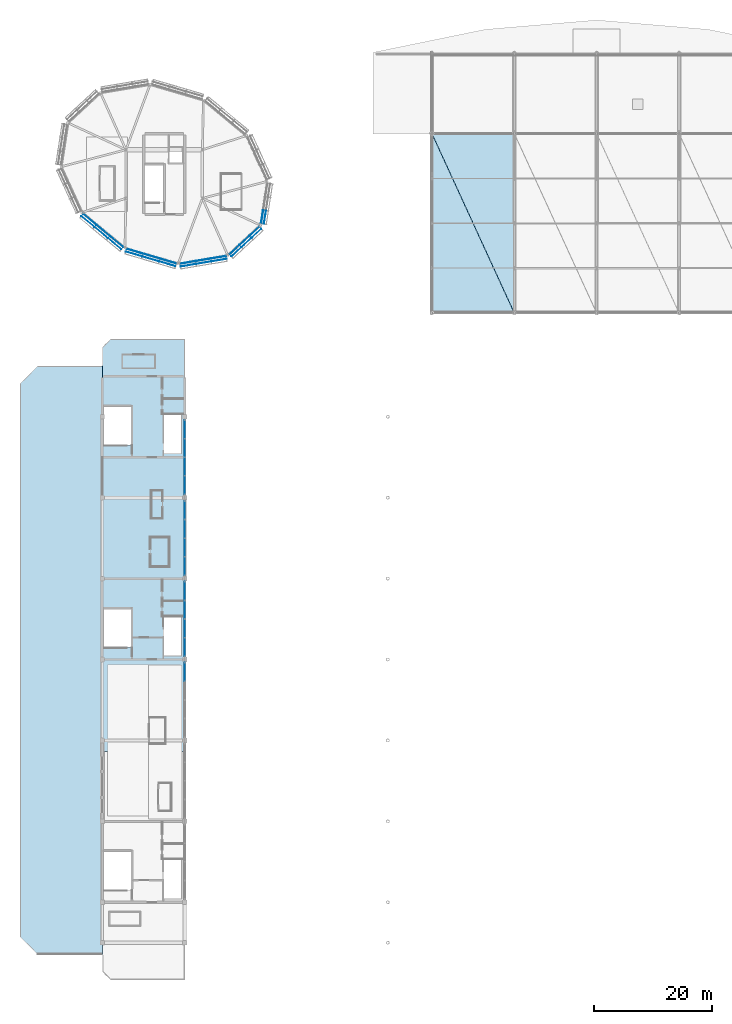
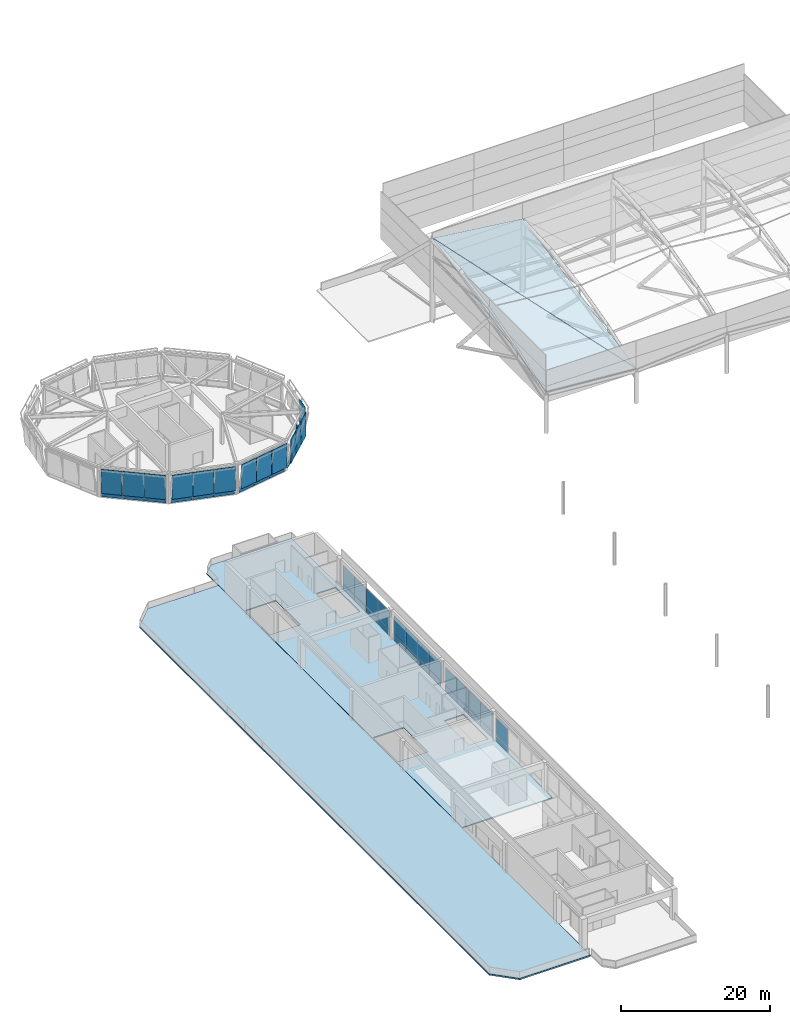
# One storey, part 67 of 113: 52 plates, 4 slabs, 9 elements without a shape of their own.
"""IFC4 building model written with IfcOpenShell, lengths in metres."""

from ifc_helpers import new_model, si_unit, direction, frame, origin, origin_2d, place, context, subcontext, project, spatial, polyline, rectangle, outline, extrude, material, layer, layer_set, type_object, element, aggregate, save


model = new_model("IFC4")

# Units and contexts
model_context = context("Model", 3, precision=1e-05, world=origin(), true_north=direction((0.0, 1.0)))
body_context = subcontext(model_context, "Body", "Model", "MODEL_VIEW")
ifc_project = project(units=[si_unit("LENGTHUNIT", "METRE"), si_unit("AREAUNIT", "SQUARE_METRE"), si_unit("VOLUMEUNIT", "CUBIC_METRE"), si_unit("PLANEANGLEUNIT", "RADIAN"), si_unit("MASSUNIT", "GRAM", prefix="KILO")], contexts=[model_context])

# Site, building, storey
site_placement = place(None, origin())
site = spatial("IfcSite", under=ifc_project, at=site_placement, CompositionType="ELEMENT")
building_placement = place(site_placement, origin())
building = spatial("IfcBuilding", under=site, at=building_placement, Name="Linyun Crest Stadium", CompositionType="ELEMENT")
storey_placement = place(building_placement, frame((0.0, 0.0, 26.39990234375)))
storey = spatial("IfcBuildingStorey", under=building, at=storey_placement, Name="L06", CompositionType="ELEMENT", Elevation=26.39990234375)

# Slab
ifc_material_1 = material(Name="Concrete C40", Category="concrete")
ifc_layer_1 = layer(ifc_material_1, 0.179931640625)
ifc_layer_set_1 = layer_set([ifc_layer_1], Name="Concrete C40")
slab_type_1 = type_object("IfcSlabType", Name="FS01", PredefinedType="FLOOR", material=ifc_layer_set_1)
slab_1_placement = place(storey_placement, frame((0.0, 0.0, -0.179931640625)))
element("IfcSlab", 1, at=slab_1_placement, inside=storey, type_object=slab_type_1, Name="Slab FS01 V1 L06 13", PredefinedType="FLOOR", context=body_context, shape_type="SweptSolid", body=[
    extrude(outline(polyline([(-84.0, -13.489990234375), (-70.0, -13.489990234375), (-70.0, 56.5849609375), (-82.60009765625, 56.5849609375), (-84.0, 55.18505859375), (-84.0, -13.489990234375)]), holes=[polyline([(-83.800048828125, 4.14501953125), (-83.800048828125, 10.72509765625), (-79.10009765625, 10.72509765625), (-79.10009765625, 4.14501953125), (-83.800048828125, 4.14501953125)]), polyline([(-73.60009765625, 2.77490234375), (-73.60009765625, 9.375), (-70.60009765625, 9.375), (-70.60009765625, 2.77490234375), (-73.60009765625, 2.77490234375)]), polyline([(-83.77490234375, 38.52001953125), (-83.77490234375, 45.10009765625), (-79.10009765625, 45.10009765625), (-79.10009765625, 38.52001953125), (-83.77490234375, 38.52001953125)]), polyline([(-73.60009765625, 37.14990234375), (-73.60009765625, 43.75), (-70.60009765625, 43.75), (-70.60009765625, 37.14990234375), (-73.60009765625, 37.14990234375)])]), origin(), (0.0, 0.0, 1.0), 0.179931640625),
])

# Curtain wall, plate
ifc_material_2 = material(Name="Verdigris steel and low-E curtain wall assembly", Category="steel")
curtain_wall_type_1 = type_object("IfcCurtainWallType", Name="MCW04", PredefinedType="NOTDEFINED", material=ifc_material_2)
curtain_wall_1_placement = place(storey_placement, origin())
curtain_wall_1 = element("IfcCurtainWall", 2, at=curtain_wall_1_placement, inside=storey, type_object=curtain_wall_type_1, Name="CWR-025", PredefinedType="NOTDEFINED")
ifc_material_3 = material(Name="Acoustic laminated low-E broadcast glass", Category="glass")
ifc_layer_2 = layer(ifc_material_3, 0.030029296875)
ifc_layer_set_2 = layer_set([ifc_layer_2], Name="Acoustic laminated low-E broadcast glass")
plate_type_1 = type_object("IfcPlateType", Name="GP02", PredefinedType="CURTAIN_PANEL", material=ifc_layer_set_2)
plate_1_placement = place(storey_placement, frame((-56.364990234375, 77.2880859375, 0.884521484375), z_axis=(0.0, 0.0, 1.0), x_axis=(0.152054385169, 0.988372128275, 0.0)))
plate_1 = element("IfcPlate", 3, at=plate_1_placement, type_object=plate_type_1, Name="CWR-025 panel 1.2", PredefinedType="CURTAIN_PANEL", context=body_context, shape_type="SweptSolid", body=[
    extrude(rectangle(XDim=2.256103515625, YDim=0.030029296875, at=origin_2d()), origin(), (0.0, 0.0, 1.0), 3.9912109375),
])

# Curtain wall, plates
curtain_wall_2_placement = place(storey_placement, origin())
curtain_wall_2 = element("IfcCurtainWall", 4, at=curtain_wall_2_placement, inside=storey, type_object=curtain_wall_type_1, Name="CWR-033", PredefinedType="NOTDEFINED")
plate_2_placement = place(storey_placement, frame((-86.447998046875, 76.528076171875, 0.884521484375), z_axis=(0.0, 0.0, 1.0), x_axis=(0.77024617165, -0.637746685651, 0.0)))
plate_2 = element("IfcPlate", 5, at=plate_2_placement, type_object=plate_type_1, Name="CWR-033 panel 1.2", PredefinedType="CURTAIN_PANEL", context=body_context, shape_type="SweptSolid", body=[
    extrude(rectangle(XDim=2.8984375, YDim=0.030029296875, at=origin_2d()), origin(), (0.0, 0.0, 1.0), 3.9912109375),
])
plate_3_placement = place(storey_placement, frame((-84.177001953125, 74.64697265625, 0.884521484375), z_axis=(0.0, 0.0, 1.0), x_axis=(0.77024617165, -0.637746685651, 0.0)))
plate_3 = element("IfcPlate", 6, at=plate_3_placement, type_object=plate_type_1, Name="CWR-033 panel 2.2", PredefinedType="CURTAIN_PANEL", context=body_context, shape_type="SweptSolid", body=[
    extrude(rectangle(XDim=2.8984375, YDim=0.030029296875, at=origin_2d()), origin(), (0.0, 0.0, 1.0), 3.9912109375),
])
plate_4_placement = place(storey_placement, frame((-81.906005859375, 72.76708984375, 0.884521484375), z_axis=(0.0, 0.0, 1.0), x_axis=(0.77024617165, -0.637746685651, 0.0)))
plate_4 = element("IfcPlate", 7, at=plate_4_placement, type_object=plate_type_1, Name="CWR-033 panel 3.2", PredefinedType="CURTAIN_PANEL", context=body_context, shape_type="SweptSolid", body=[
    extrude(rectangle(XDim=2.8984375, YDim=0.030029296875, at=origin_2d()), origin(), (0.0, 0.0, 1.0), 3.9912109375),
])

curtain_wall_3_placement = place(storey_placement, origin())
curtain_wall_3 = element("IfcCurtainWall", 8, at=curtain_wall_3_placement, inside=storey, type_object=curtain_wall_type_1, Name="CWR-034", PredefinedType="NOTDEFINED")
plate_5_placement = place(storey_placement, frame((-78.62890625, 71.02392578125, 0.884521484375), z_axis=(0.0, 0.0, 1.0), x_axis=(0.959437077917, -0.281922850294, 0.0)))
plate_5 = element("IfcPlate", 9, at=plate_5_placement, type_object=plate_type_1, Name="CWR-034 panel 1.2", PredefinedType="CURTAIN_PANEL", context=body_context, shape_type="SweptSolid", body=[
    extrude(rectangle(XDim=2.897705078125, YDim=0.030029296875, at=origin_2d()), origin(), (0.0, 0.0, 1.0), 3.9912109375),
])
plate_6_placement = place(storey_placement, frame((-75.801025390625, 70.193115234375, 0.884521484375), z_axis=(0.0, 0.0, 1.0), x_axis=(0.959437077917, -0.281922850294, 0.0)))
plate_6 = element("IfcPlate", 10, at=plate_6_placement, type_object=plate_type_1, Name="CWR-034 panel 2.2", PredefinedType="CURTAIN_PANEL", context=body_context, shape_type="SweptSolid", body=[
    extrude(rectangle(XDim=2.897705078125, YDim=0.030029296875, at=origin_2d()), origin(), (0.0, 0.0, 1.0), 3.9912109375),
])
plate_7_placement = place(storey_placement, frame((-72.972900390625, 69.362060546875, 0.884521484375), z_axis=(0.0, 0.0, 1.0), x_axis=(0.959437077917, -0.281922850294, 0.0)))
plate_7 = element("IfcPlate", 11, at=plate_7_placement, type_object=plate_type_1, Name="CWR-034 panel 3.2", PredefinedType="CURTAIN_PANEL", context=body_context, shape_type="SweptSolid", body=[
    extrude(rectangle(XDim=2.897705078125, YDim=0.030029296875, at=origin_2d()), origin(), (0.0, 0.0, 1.0), 3.9912109375),
])

curtain_wall_4_placement = place(storey_placement, origin())
curtain_wall_4 = element("IfcCurtainWall", 12, at=curtain_wall_4_placement, inside=storey, type_object=curtain_wall_type_1, Name="CWR-035", PredefinedType="NOTDEFINED")
plate_8_placement = place(storey_placement, frame((-69.408935546875, 69.114013671875, 0.884521484375), z_axis=(0.0, 0.0, 1.0), x_axis=(0.986282720763, 0.165064819767, 0.0)))
plate_8 = element("IfcPlate", 13, at=plate_8_placement, type_object=plate_type_1, Name="CWR-035 panel 1.2", PredefinedType="CURTAIN_PANEL", context=body_context, shape_type="SweptSolid", body=[
    extrude(rectangle(XDim=2.59521484375, YDim=0.030029296875, at=origin_2d()), origin(), (0.0, 0.0, 1.0), 3.9912109375),
])
plate_9_placement = place(storey_placement, frame((-66.800048828125, 69.551025390625, 0.884521484375), z_axis=(0.0, 0.0, 1.0), x_axis=(0.986282720763, 0.165064819767, 0.0)))
plate_9 = element("IfcPlate", 14, at=plate_9_placement, type_object=plate_type_1, Name="CWR-035 panel 2.2", PredefinedType="CURTAIN_PANEL", context=body_context, shape_type="SweptSolid", body=[
    extrude(rectangle(XDim=2.59521484375, YDim=0.030029296875, at=origin_2d()), origin(), (0.0, 0.0, 1.0), 3.9912109375),
])
plate_10_placement = place(storey_placement, frame((-64.19091796875, 69.988037109375, 0.884521484375), z_axis=(0.0, 0.0, 1.0), x_axis=(0.986282720763, 0.165064819767, 0.0)))
plate_10 = element("IfcPlate", 15, at=plate_10_placement, type_object=plate_type_1, Name="CWR-035 panel 3.2", PredefinedType="CURTAIN_PANEL", context=body_context, shape_type="SweptSolid", body=[
    extrude(rectangle(XDim=2.59521484375, YDim=0.030029296875, at=origin_2d()), origin(), (0.0, 0.0, 1.0), 3.9912109375),
])

curtain_wall_5_placement = place(storey_placement, origin())
curtain_wall_5 = element("IfcCurtainWall", 16, at=curtain_wall_5_placement, inside=storey, type_object=curtain_wall_type_1, Name="CWR-036", PredefinedType="NOTDEFINED")
plate_11_placement = place(storey_placement, frame((-61.221923828125, 71.39111328125, 0.884521484375), z_axis=(0.0, 0.0, 1.0), x_axis=(0.734298814372, 0.678826377811, 0.0)))
plate_11 = element("IfcPlate", 17, at=plate_11_placement, type_object=plate_type_1, Name="CWR-036 panel 1.2", PredefinedType="CURTAIN_PANEL", context=body_context, shape_type="SweptSolid", body=[
    extrude(rectangle(XDim=2.2568359375, YDim=0.030029296875, at=origin_2d()), origin(), (0.0, 0.0, 1.0), 3.9912109375),
])
plate_12_placement = place(storey_placement, frame((-59.528076171875, 72.95703125, 0.884521484375), z_axis=(0.0, 0.0, 1.0), x_axis=(0.734298814372, 0.678826377811, 0.0)))
plate_12 = element("IfcPlate", 18, at=plate_12_placement, type_object=plate_type_1, Name="CWR-036 panel 2.2", PredefinedType="CURTAIN_PANEL", context=body_context, shape_type="SweptSolid", body=[
    extrude(rectangle(XDim=2.2568359375, YDim=0.030029296875, at=origin_2d()), origin(), (0.0, 0.0, 1.0), 3.9912109375),
])
plate_13_placement = place(storey_placement, frame((-57.833984375, 74.52294921875, 0.884521484375), z_axis=(0.0, 0.0, 1.0), x_axis=(0.734298814372, 0.678826377811, 0.0)))
plate_13 = element("IfcPlate", 19, at=plate_13_placement, type_object=plate_type_1, Name="CWR-036 panel 3.2", PredefinedType="CURTAIN_PANEL", context=body_context, shape_type="SweptSolid", body=[
    extrude(rectangle(XDim=2.2568359375, YDim=0.030029296875, at=origin_2d()), origin(), (0.0, 0.0, 1.0), 3.9912109375),
])

# Curtain wall, plate
ifc_material_4 = material(Name="Verdigris steel and low-E curtain wall assembly", Category="steel")
curtain_wall_type_2 = type_object("IfcCurtainWallType", Name="MCW06", PredefinedType="NOTDEFINED", material=ifc_material_4)
curtain_wall_6_placement = place(storey_placement, origin())
curtain_wall_6 = element("IfcCurtainWall", 20, at=curtain_wall_6_placement, inside=storey, type_object=curtain_wall_type_2, Name="CWR-095", PredefinedType="NOTDEFINED")
plate_14_placement = place(storey_placement, frame((-70.0, -0.006103515625, 1.025146484375), z_axis=(0.0, 0.0, 1.0), x_axis=(0.0, 1.0, 0.0)))
plate_14 = element("IfcPlate", 21, at=plate_14_placement, type_object=plate_type_1, Name="CWR-095 panel 4.2", PredefinedType="CURTAIN_PANEL", context=body_context, shape_type="SweptSolid", body=[
    extrude(rectangle(XDim=3.112548828125, YDim=0.030029296875, at=origin_2d()), origin(), (0.0, 0.0, 1.0), 3.0),
])

# Curtain wall, plates
curtain_wall_7_placement = place(storey_placement, origin())
curtain_wall_7 = element("IfcCurtainWall", 22, at=curtain_wall_7_placement, inside=storey, type_object=curtain_wall_type_2, Name="CWR-104", PredefinedType="NOTDEFINED")
plate_15_placement = place(storey_placement, frame((-70.0, 4.256103515625, 1.025146484375), z_axis=(0.0, 0.0, 1.0), x_axis=(0.0, 1.0, 0.0)))
plate_15 = element("IfcPlate", 23, at=plate_15_placement, type_object=plate_type_1, Name="CWR-104 panel 1.2", PredefinedType="CURTAIN_PANEL", context=body_context, shape_type="SweptSolid", body=[
    extrude(rectangle(XDim=3.112548828125, YDim=0.030029296875, at=origin_2d()), origin(), (0.0, 0.0, 1.0), 3.0),
])
plate_16_placement = place(storey_placement, frame((-70.0, 7.4189453125, 1.025146484375), z_axis=(0.0, 0.0, 1.0), x_axis=(0.0, 1.0, 0.0)))
plate_16 = element("IfcPlate", 24, at=plate_16_placement, type_object=plate_type_1, Name="CWR-104 panel 2.2", PredefinedType="CURTAIN_PANEL", context=body_context, shape_type="SweptSolid", body=[
    extrude(rectangle(XDim=3.112548828125, YDim=0.030029296875, at=origin_2d()), origin(), (0.0, 0.0, 1.0), 3.0),
])
plate_17_placement = place(storey_placement, frame((-70.0, 10.5810546875, 1.025146484375), z_axis=(0.0, 0.0, 1.0), x_axis=(0.0, 1.0, 0.0)))
plate_17 = element("IfcPlate", 25, at=plate_17_placement, type_object=plate_type_1, Name="CWR-104 panel 3.2", PredefinedType="CURTAIN_PANEL", context=body_context, shape_type="SweptSolid", body=[
    extrude(rectangle(XDim=3.112548828125, YDim=0.030029296875, at=origin_2d()), origin(), (0.0, 0.0, 1.0), 3.0),
])
plate_18_placement = place(storey_placement, frame((-70.0, 13.743896484375, 1.025146484375), z_axis=(0.0, 0.0, 1.0), x_axis=(0.0, 1.0, 0.0)))
plate_18 = element("IfcPlate", 26, at=plate_18_placement, type_object=plate_type_1, Name="CWR-104 panel 4.2", PredefinedType="CURTAIN_PANEL", context=body_context, shape_type="SweptSolid", body=[
    extrude(rectangle(XDim=3.112548828125, YDim=0.030029296875, at=origin_2d()), origin(), (0.0, 0.0, 1.0), 3.0),
])

curtain_wall_8_placement = place(storey_placement, origin())
curtain_wall_8 = element("IfcCurtainWall", 27, at=curtain_wall_8_placement, inside=storey, type_object=curtain_wall_type_2, Name="CWR-113", PredefinedType="NOTDEFINED")
plate_19_placement = place(storey_placement, frame((-70.0, 18.006103515625, 1.025146484375), z_axis=(0.0, 0.0, 1.0), x_axis=(0.0, 1.0, 0.0)))
plate_19 = element("IfcPlate", 28, at=plate_19_placement, type_object=plate_type_1, Name="CWR-113 panel 1.2", PredefinedType="CURTAIN_PANEL", context=body_context, shape_type="SweptSolid", body=[
    extrude(rectangle(XDim=3.112548828125, YDim=0.030029296875, at=origin_2d()), origin(), (0.0, 0.0, 1.0), 3.0),
])
plate_20_placement = place(storey_placement, frame((-70.0, 21.1689453125, 1.025146484375), z_axis=(0.0, 0.0, 1.0), x_axis=(0.0, 1.0, 0.0)))
plate_20 = element("IfcPlate", 29, at=plate_20_placement, type_object=plate_type_1, Name="CWR-113 panel 2.2", PredefinedType="CURTAIN_PANEL", context=body_context, shape_type="SweptSolid", body=[
    extrude(rectangle(XDim=3.112548828125, YDim=0.030029296875, at=origin_2d()), origin(), (0.0, 0.0, 1.0), 3.0),
])
plate_21_placement = place(storey_placement, frame((-70.0, 24.3310546875, 1.025146484375), z_axis=(0.0, 0.0, 1.0), x_axis=(0.0, 1.0, 0.0)))
plate_21 = element("IfcPlate", 30, at=plate_21_placement, type_object=plate_type_1, Name="CWR-113 panel 3.2", PredefinedType="CURTAIN_PANEL", context=body_context, shape_type="SweptSolid", body=[
    extrude(rectangle(XDim=3.112548828125, YDim=0.030029296875, at=origin_2d()), origin(), (0.0, 0.0, 1.0), 3.0),
])
plate_22_placement = place(storey_placement, frame((-70.0, 27.493896484375, 1.025146484375), z_axis=(0.0, 0.0, 1.0), x_axis=(0.0, 1.0, 0.0)))
plate_22 = element("IfcPlate", 31, at=plate_22_placement, type_object=plate_type_1, Name="CWR-113 panel 4.2", PredefinedType="CURTAIN_PANEL", context=body_context, shape_type="SweptSolid", body=[
    extrude(rectangle(XDim=3.112548828125, YDim=0.030029296875, at=origin_2d()), origin(), (0.0, 0.0, 1.0), 3.0),
])

curtain_wall_9_placement = place(storey_placement, origin())
curtain_wall_9 = element("IfcCurtainWall", 32, at=curtain_wall_9_placement, inside=storey, type_object=curtain_wall_type_2, Name="CWR-122", PredefinedType="NOTDEFINED")
plate_23_placement = place(storey_placement, frame((-70.0, 31.756103515625, 1.025146484375), z_axis=(0.0, 0.0, 1.0), x_axis=(0.0, 1.0, 0.0)))
plate_23 = element("IfcPlate", 33, at=plate_23_placement, type_object=plate_type_1, Name="CWR-122 panel 1.2", PredefinedType="CURTAIN_PANEL", context=body_context, shape_type="SweptSolid", body=[
    extrude(rectangle(XDim=3.112548828125, YDim=0.030029296875, at=origin_2d()), origin(), (0.0, 0.0, 1.0), 3.0),
])
plate_24_placement = place(storey_placement, frame((-70.0, 34.9189453125, 1.025146484375), z_axis=(0.0, 0.0, 1.0), x_axis=(0.0, 1.0, 0.0)))
plate_24 = element("IfcPlate", 34, at=plate_24_placement, type_object=plate_type_1, Name="CWR-122 panel 2.2", PredefinedType="CURTAIN_PANEL", context=body_context, shape_type="SweptSolid", body=[
    extrude(rectangle(XDim=3.112548828125, YDim=0.030029296875, at=origin_2d()), origin(), (0.0, 0.0, 1.0), 3.0),
])
plate_25_placement = place(storey_placement, frame((-70.0, 38.0810546875, 1.025146484375), z_axis=(0.0, 0.0, 1.0), x_axis=(0.0, 1.0, 0.0)))
plate_25 = element("IfcPlate", 35, at=plate_25_placement, type_object=plate_type_1, Name="CWR-122 panel 3.2", PredefinedType="CURTAIN_PANEL", context=body_context, shape_type="SweptSolid", body=[
    extrude(rectangle(XDim=3.112548828125, YDim=0.030029296875, at=origin_2d()), origin(), (0.0, 0.0, 1.0), 3.0),
])
plate_26_placement = place(storey_placement, frame((-70.0, 41.243896484375, 1.025146484375), z_axis=(0.0, 0.0, 1.0), x_axis=(0.0, 1.0, 0.0)))
plate_26 = element("IfcPlate", 36, at=plate_26_placement, type_object=plate_type_1, Name="CWR-122 panel 4.2", PredefinedType="CURTAIN_PANEL", context=body_context, shape_type="SweptSolid", body=[
    extrude(rectangle(XDim=3.112548828125, YDim=0.030029296875, at=origin_2d()), origin(), (0.0, 0.0, 1.0), 3.0),
])

# Slabs
ifc_material_5 = material(Name="Concrete C40", Category="concrete")
ifc_layer_3 = layer(ifc_material_5, 0.205078125)
ifc_layer_set_3 = layer_set([ifc_layer_3], Name="Concrete C40")
slab_type_2 = type_object("IfcSlabType", Name="RS01", PredefinedType="ROOF", material=ifc_layer_set_3)
slab_2_placement = place(storey_placement, frame((-27.966064453125, 91.462890625, 13.398681640625), z_axis=(0.118245876644, -0.194803555234, 0.973688598847), x_axis=(0.992693120126, -0.000556140336, -0.120665073496)))
element("IfcSlab", 37, at=slab_2_placement, inside=storey, type_object=slab_type_2, Name="Wave canopy roof deck RS01 V3 29", PredefinedType="ROOF", context=body_context, shape_type="SweptSolid", body=[
    extrude(outline(polyline([(0.0, 0.0), (14.047713313053919, -5.551115123125783e-17), (14.80874328508756, -30.999466663187533), (0.0, 0.0)])), origin(), (0.0, 0.0, -1.0), 0.205078125),
])
ifc_material_6 = material(Name="Concrete C40", Category="concrete")
ifc_layer_4 = layer(ifc_material_6, 0.215087890625)
ifc_layer_set_4 = layer_set([ifc_layer_4], Name="Concrete C40")
slab_type_3 = type_object("IfcSlabType", Name="RS02", PredefinedType="ROOF", material=ifc_layer_set_4)
slab_3_placement = place(storey_placement, frame((-27.989013671875, 91.450927734375, 13.3984375), z_axis=(0.076875112983, -0.21382544332, 0.973842336722), x_axis=(0.406202281753, -0.885280777631, -0.226445691184)))
element("IfcSlab", 38, at=slab_3_placement, inside=storey, type_object=slab_type_3, Name="Wave canopy roof deck RS02 V3 30", PredefinedType="ROOF", context=body_context, shape_type="SweptSolid", body=[
    extrude(outline(polyline([(0.0, 0.0), (34.35499688670778, -4.996003610813204e-16), (28.43389682378714, -12.673640322023411), (0.0, 0.0)])), origin(), (0.0, 0.0, -1.0), 0.215087890625),
])

# Plate
ifc_material_7 = material(Name="Warm ochre glazed ceramic faience spandrel")
ifc_layer_5 = layer(ifc_material_7, 0.048095703125)
ifc_layer_set_5 = layer_set([ifc_layer_5], Name="Warm ochre glazed ceramic faience spandrel")
plate_type_2 = type_object("IfcPlateType", Name="SP02", PredefinedType="SHEET", material=ifc_layer_set_5)
plate_27_placement = place(storey_placement, frame((-70.0, -0.006103515625, 0.02490234375), z_axis=(0.0, 0.0, 1.0), x_axis=(0.0, 1.0, 0.0)))
plate_27 = element("IfcPlate", 39, at=plate_27_placement, type_object=plate_type_2, Name="CWR-095 panel 4.1", PredefinedType="SHEET", context=body_context, shape_type="SweptSolid", body=[
    extrude(rectangle(XDim=3.112548828125, YDim=0.048095703125, at=origin_2d()), origin(), (0.0, 0.0, 1.0), 0.949951171875),
])

aggregate(curtain_wall_6, [plate_27, plate_14])

plate_28_placement = place(storey_placement, frame((-70.0, 4.256103515625, 0.02490234375), z_axis=(0.0, 0.0, 1.0), x_axis=(0.0, 1.0, 0.0)))
plate_28 = element("IfcPlate", 40, at=plate_28_placement, type_object=plate_type_2, Name="CWR-104 panel 1.1", PredefinedType="SHEET", context=body_context, shape_type="SweptSolid", body=[
    extrude(rectangle(XDim=3.112548828125, YDim=0.048095703125, at=origin_2d()), origin(), (0.0, 0.0, 1.0), 0.949951171875),
])

plate_29_placement = place(storey_placement, frame((-70.0, 7.4189453125, 0.02490234375), z_axis=(0.0, 0.0, 1.0), x_axis=(0.0, 1.0, 0.0)))
plate_29 = element("IfcPlate", 41, at=plate_29_placement, type_object=plate_type_2, Name="CWR-104 panel 2.1", PredefinedType="SHEET", context=body_context, shape_type="SweptSolid", body=[
    extrude(rectangle(XDim=3.112548828125, YDim=0.048095703125, at=origin_2d()), origin(), (0.0, 0.0, 1.0), 0.949951171875),
])

plate_30_placement = place(storey_placement, frame((-70.0, 10.5810546875, 0.02490234375), z_axis=(0.0, 0.0, 1.0), x_axis=(0.0, 1.0, 0.0)))
plate_30 = element("IfcPlate", 42, at=plate_30_placement, type_object=plate_type_2, Name="CWR-104 panel 3.1", PredefinedType="SHEET", context=body_context, shape_type="SweptSolid", body=[
    extrude(rectangle(XDim=3.112548828125, YDim=0.048095703125, at=origin_2d()), origin(), (0.0, 0.0, 1.0), 0.949951171875),
])

plate_31_placement = place(storey_placement, frame((-70.0, 13.743896484375, 0.02490234375), z_axis=(0.0, 0.0, 1.0), x_axis=(0.0, 1.0, 0.0)))
plate_31 = element("IfcPlate", 43, at=plate_31_placement, type_object=plate_type_2, Name="CWR-104 panel 4.1", PredefinedType="SHEET", context=body_context, shape_type="SweptSolid", body=[
    extrude(rectangle(XDim=3.112548828125, YDim=0.048095703125, at=origin_2d()), origin(), (0.0, 0.0, 1.0), 0.949951171875),
])

aggregate(curtain_wall_7, [plate_28, plate_15, plate_29, plate_16, plate_30, plate_17, plate_31, plate_18])

plate_32_placement = place(storey_placement, frame((-70.0, 18.006103515625, 0.02490234375), z_axis=(0.0, 0.0, 1.0), x_axis=(0.0, 1.0, 0.0)))
plate_32 = element("IfcPlate", 44, at=plate_32_placement, type_object=plate_type_2, Name="CWR-113 panel 1.1", PredefinedType="SHEET", context=body_context, shape_type="SweptSolid", body=[
    extrude(rectangle(XDim=3.112548828125, YDim=0.048095703125, at=origin_2d()), origin(), (0.0, 0.0, 1.0), 0.949951171875),
])

plate_33_placement = place(storey_placement, frame((-70.0, 21.1689453125, 0.02490234375), z_axis=(0.0, 0.0, 1.0), x_axis=(0.0, 1.0, 0.0)))
plate_33 = element("IfcPlate", 45, at=plate_33_placement, type_object=plate_type_2, Name="CWR-113 panel 2.1", PredefinedType="SHEET", context=body_context, shape_type="SweptSolid", body=[
    extrude(rectangle(XDim=3.112548828125, YDim=0.048095703125, at=origin_2d()), origin(), (0.0, 0.0, 1.0), 0.949951171875),
])

plate_34_placement = place(storey_placement, frame((-70.0, 24.3310546875, 0.02490234375), z_axis=(0.0, 0.0, 1.0), x_axis=(0.0, 1.0, 0.0)))
plate_34 = element("IfcPlate", 46, at=plate_34_placement, type_object=plate_type_2, Name="CWR-113 panel 3.1", PredefinedType="SHEET", context=body_context, shape_type="SweptSolid", body=[
    extrude(rectangle(XDim=3.112548828125, YDim=0.048095703125, at=origin_2d()), origin(), (0.0, 0.0, 1.0), 0.949951171875),
])

plate_35_placement = place(storey_placement, frame((-70.0, 27.493896484375, 0.02490234375), z_axis=(0.0, 0.0, 1.0), x_axis=(0.0, 1.0, 0.0)))
plate_35 = element("IfcPlate", 47, at=plate_35_placement, type_object=plate_type_2, Name="CWR-113 panel 4.1", PredefinedType="SHEET", context=body_context, shape_type="SweptSolid", body=[
    extrude(rectangle(XDim=3.112548828125, YDim=0.048095703125, at=origin_2d()), origin(), (0.0, 0.0, 1.0), 0.949951171875),
])

aggregate(curtain_wall_8, [plate_32, plate_19, plate_33, plate_20, plate_34, plate_21, plate_35, plate_22])

plate_36_placement = place(storey_placement, frame((-70.0, 31.756103515625, 0.02490234375), z_axis=(0.0, 0.0, 1.0), x_axis=(0.0, 1.0, 0.0)))
plate_36 = element("IfcPlate", 48, at=plate_36_placement, type_object=plate_type_2, Name="CWR-122 panel 1.1", PredefinedType="SHEET", context=body_context, shape_type="SweptSolid", body=[
    extrude(rectangle(XDim=3.112548828125, YDim=0.048095703125, at=origin_2d()), origin(), (0.0, 0.0, 1.0), 0.949951171875),
])

plate_37_placement = place(storey_placement, frame((-70.0, 34.9189453125, 0.02490234375), z_axis=(0.0, 0.0, 1.0), x_axis=(0.0, 1.0, 0.0)))
plate_37 = element("IfcPlate", 49, at=plate_37_placement, type_object=plate_type_2, Name="CWR-122 panel 2.1", PredefinedType="SHEET", context=body_context, shape_type="SweptSolid", body=[
    extrude(rectangle(XDim=3.112548828125, YDim=0.048095703125, at=origin_2d()), origin(), (0.0, 0.0, 1.0), 0.949951171875),
])

plate_38_placement = place(storey_placement, frame((-70.0, 38.0810546875, 0.02490234375), z_axis=(0.0, 0.0, 1.0), x_axis=(0.0, 1.0, 0.0)))
plate_38 = element("IfcPlate", 50, at=plate_38_placement, type_object=plate_type_2, Name="CWR-122 panel 3.1", PredefinedType="SHEET", context=body_context, shape_type="SweptSolid", body=[
    extrude(rectangle(XDim=3.112548828125, YDim=0.048095703125, at=origin_2d()), origin(), (0.0, 0.0, 1.0), 0.949951171875),
])

plate_39_placement = place(storey_placement, frame((-70.0, 41.243896484375, 0.02490234375), z_axis=(0.0, 0.0, 1.0), x_axis=(0.0, 1.0, 0.0)))
plate_39 = element("IfcPlate", 51, at=plate_39_placement, type_object=plate_type_2, Name="CWR-122 panel 4.1", PredefinedType="SHEET", context=body_context, shape_type="SweptSolid", body=[
    extrude(rectangle(XDim=3.112548828125, YDim=0.048095703125, at=origin_2d()), origin(), (0.0, 0.0, 1.0), 0.949951171875),
])

aggregate(curtain_wall_9, [plate_36, plate_23, plate_37, plate_24, plate_38, plate_25, plate_39, plate_26])

ifc_material_8 = material(Name="Verdigris enamelled metal insulated spandrel")
ifc_layer_6 = layer(ifc_material_8, 0.053955078125)
ifc_layer_set_6 = layer_set([ifc_layer_6], Name="Verdigris enamelled metal insulated spandrel")
plate_type_3 = type_object("IfcPlateType", Name="SP03", PredefinedType="SHEET", material=ifc_layer_set_6)
plate_40_placement = place(storey_placement, frame((-56.85302734375, 77.363037109375, 0.01611328125), z_axis=(0.0, 0.0, 1.0), x_axis=(0.152054385169, 0.988372128275, 0.0)))
plate_40 = element("IfcPlate", 52, at=plate_40_placement, type_object=plate_type_3, Name="CWR-025 panel 1.1", PredefinedType="SHEET", context=body_context, shape_type="SweptSolid", body=[
    extrude(rectangle(XDim=2.256103515625, YDim=0.053955078125, at=origin_2d()), origin(), (0.0, 0.0, 1.0), 0.868408203125),
])

aggregate(curtain_wall_1, [plate_40, plate_1])

plate_41_placement = place(storey_placement, frame((-86.133056640625, 76.907958984375, 0.01611328125), z_axis=(0.0, 0.0, 1.0), x_axis=(0.77024617165, -0.637746685651, 0.0)))
plate_41 = element("IfcPlate", 53, at=plate_41_placement, type_object=plate_type_3, Name="CWR-033 panel 1.1", PredefinedType="SHEET", context=body_context, shape_type="SweptSolid", body=[
    extrude(rectangle(XDim=2.8984375, YDim=0.053955078125, at=origin_2d()), origin(), (0.0, 0.0, 1.0), 0.868408203125),
])

plate_42_placement = place(storey_placement, frame((-83.862060546875, 75.028076171875, 0.01611328125), z_axis=(0.0, 0.0, 1.0), x_axis=(0.77024617165, -0.637746685651, 0.0)))
plate_42 = element("IfcPlate", 54, at=plate_42_placement, type_object=plate_type_3, Name="CWR-033 panel 2.1", PredefinedType="SHEET", context=body_context, shape_type="SweptSolid", body=[
    extrude(rectangle(XDim=2.8984375, YDim=0.053955078125, at=origin_2d()), origin(), (0.0, 0.0, 1.0), 0.868408203125),
])

plate_43_placement = place(storey_placement, frame((-81.591064453125, 73.14794921875, 0.01611328125), z_axis=(0.0, 0.0, 1.0), x_axis=(0.77024617165, -0.637746685651, 0.0)))
plate_43 = element("IfcPlate", 55, at=plate_43_placement, type_object=plate_type_3, Name="CWR-033 panel 3.1", PredefinedType="SHEET", context=body_context, shape_type="SweptSolid", body=[
    extrude(rectangle(XDim=2.8984375, YDim=0.053955078125, at=origin_2d()), origin(), (0.0, 0.0, 1.0), 0.868408203125),
])

aggregate(curtain_wall_2, [plate_41, plate_2, plate_42, plate_3, plate_43, plate_4])

plate_44_placement = place(storey_placement, frame((-78.489990234375, 71.4990234375, 0.01611328125), z_axis=(0.0, 0.0, 1.0), x_axis=(0.959437077917, -0.281922850294, 0.0)))
plate_44 = element("IfcPlate", 56, at=plate_44_placement, type_object=plate_type_3, Name="CWR-034 panel 1.1", PredefinedType="SHEET", context=body_context, shape_type="SweptSolid", body=[
    extrude(rectangle(XDim=2.897705078125, YDim=0.053955078125, at=origin_2d()), origin(), (0.0, 0.0, 1.0), 0.868408203125),
])

plate_45_placement = place(storey_placement, frame((-75.662109375, 70.66796875, 0.01611328125), z_axis=(0.0, 0.0, 1.0), x_axis=(0.959437077917, -0.281922850294, 0.0)))
plate_45 = element("IfcPlate", 57, at=plate_45_placement, type_object=plate_type_3, Name="CWR-034 panel 2.1", PredefinedType="SHEET", context=body_context, shape_type="SweptSolid", body=[
    extrude(rectangle(XDim=2.897705078125, YDim=0.053955078125, at=origin_2d()), origin(), (0.0, 0.0, 1.0), 0.868408203125),
])

plate_46_placement = place(storey_placement, frame((-72.833984375, 69.8369140625, 0.01611328125), z_axis=(0.0, 0.0, 1.0), x_axis=(0.959437077917, -0.281922850294, 0.0)))
plate_46 = element("IfcPlate", 58, at=plate_46_placement, type_object=plate_type_3, Name="CWR-034 panel 3.1", PredefinedType="SHEET", context=body_context, shape_type="SweptSolid", body=[
    extrude(rectangle(XDim=2.897705078125, YDim=0.053955078125, at=origin_2d()), origin(), (0.0, 0.0, 1.0), 0.868408203125),
])

aggregate(curtain_wall_3, [plate_44, plate_5, plate_45, plate_6, plate_46, plate_7])

plate_47_placement = place(storey_placement, frame((-69.489990234375, 69.60205078125, 0.01611328125), z_axis=(0.0, 0.0, 1.0), x_axis=(0.986282720763, 0.165064819767, 0.0)))
plate_47 = element("IfcPlate", 59, at=plate_47_placement, type_object=plate_type_3, Name="CWR-035 panel 1.1", PredefinedType="SHEET", context=body_context, shape_type="SweptSolid", body=[
    extrude(rectangle(XDim=2.59521484375, YDim=0.053955078125, at=origin_2d()), origin(), (0.0, 0.0, 1.0), 0.868408203125),
])

plate_48_placement = place(storey_placement, frame((-66.881103515625, 70.0390625, 0.01611328125), z_axis=(0.0, 0.0, 1.0), x_axis=(0.986282720763, 0.165064819767, 0.0)))
plate_48 = element("IfcPlate", 60, at=plate_48_placement, type_object=plate_type_3, Name="CWR-035 panel 2.1", PredefinedType="SHEET", context=body_context, shape_type="SweptSolid", body=[
    extrude(rectangle(XDim=2.59521484375, YDim=0.053955078125, at=origin_2d()), origin(), (0.0, 0.0, 1.0), 0.868408203125),
])

plate_49_placement = place(storey_placement, frame((-64.27197265625, 70.47509765625, 0.01611328125), z_axis=(0.0, 0.0, 1.0), x_axis=(0.986282720763, 0.165064819767, 0.0)))
plate_49 = element("IfcPlate", 61, at=plate_49_placement, type_object=plate_type_3, Name="CWR-035 panel 3.1", PredefinedType="SHEET", context=body_context, shape_type="SweptSolid", body=[
    extrude(rectangle(XDim=2.59521484375, YDim=0.053955078125, at=origin_2d()), origin(), (0.0, 0.0, 1.0), 0.868408203125),
])

aggregate(curtain_wall_4, [plate_47, plate_8, plate_48, plate_9, plate_49, plate_10])

plate_50_placement = place(storey_placement, frame((-61.55810546875, 71.75390625, 0.01611328125), z_axis=(0.0, 0.0, 1.0), x_axis=(0.734298814372, 0.678826377811, 0.0)))
plate_50 = element("IfcPlate", 62, at=plate_50_placement, type_object=plate_type_3, Name="CWR-036 panel 1.1", PredefinedType="SHEET", context=body_context, shape_type="SweptSolid", body=[
    extrude(rectangle(XDim=2.2568359375, YDim=0.053955078125, at=origin_2d()), origin(), (0.0, 0.0, 1.0), 0.868408203125),
])

plate_51_placement = place(storey_placement, frame((-59.864013671875, 73.320068359375, 0.01611328125), z_axis=(0.0, 0.0, 1.0), x_axis=(0.734298814372, 0.678826377811, 0.0)))
plate_51 = element("IfcPlate", 63, at=plate_51_placement, type_object=plate_type_3, Name="CWR-036 panel 2.1", PredefinedType="SHEET", context=body_context, shape_type="SweptSolid", body=[
    extrude(rectangle(XDim=2.2568359375, YDim=0.053955078125, at=origin_2d()), origin(), (0.0, 0.0, 1.0), 0.868408203125),
])

plate_52_placement = place(storey_placement, frame((-58.169921875, 74.885986328125, 0.01611328125), z_axis=(0.0, 0.0, 1.0), x_axis=(0.734298814372, 0.678826377811, 0.0)))
plate_52 = element("IfcPlate", 64, at=plate_52_placement, type_object=plate_type_3, Name="CWR-036 panel 3.1", PredefinedType="SHEET", context=body_context, shape_type="SweptSolid", body=[
    extrude(rectangle(XDim=2.2568359375, YDim=0.053955078125, at=origin_2d()), origin(), (0.0, 0.0, 1.0), 0.868408203125),
])

aggregate(curtain_wall_5, [plate_50, plate_11, plate_51, plate_12, plate_52, plate_13])

# Slab
ifc_material_9 = material(Name="Concrete C40", Category="concrete")
ifc_layer_7 = layer(ifc_material_9, 0.239990234375)
ifc_layer_set_7 = layer_set([ifc_layer_7], Name="Concrete C40")
slab_type_4 = type_object("IfcSlabType", Name="TS01", PredefinedType="FLOOR", material=ifc_layer_set_7)
slab_4_placement = place(storey_placement, frame((0.0, 0.0, -0.239990234375)))
element("IfcSlab", 65, at=slab_4_placement, inside=storey, type_object=slab_type_4, Name="Slab TS01 V1 L06 15", PredefinedType="FLOOR", context=body_context, shape_type="SweptSolid", body=[
    extrude(outline(polyline([(-95.0, -48.0), (-84.02001953125, -48.0), (-84.02001953125, 52.0), (-95.0, 52.0), (-98.0, 49.0), (-98.0, -45.0), (-95.0, -48.0)])), origin(), (0.0, 0.0, 1.0), 0.239990234375),
])

save(model, "model.ifc")
